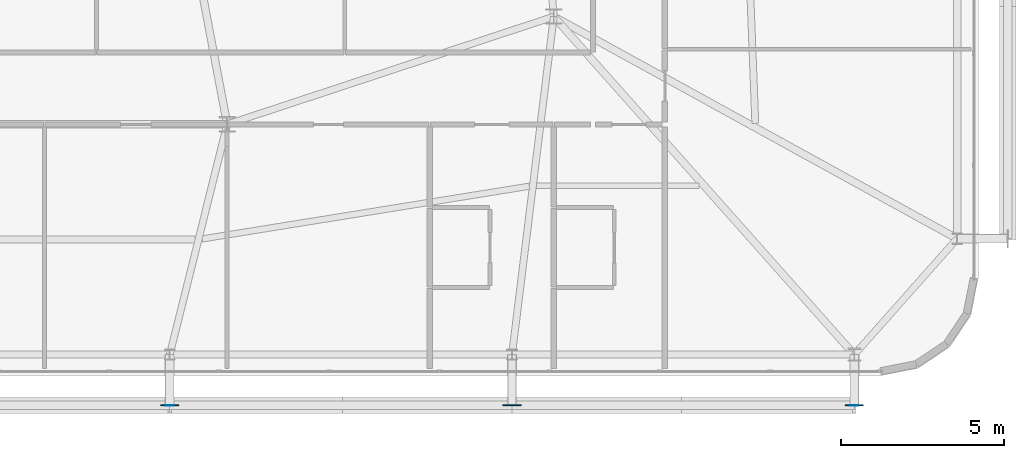
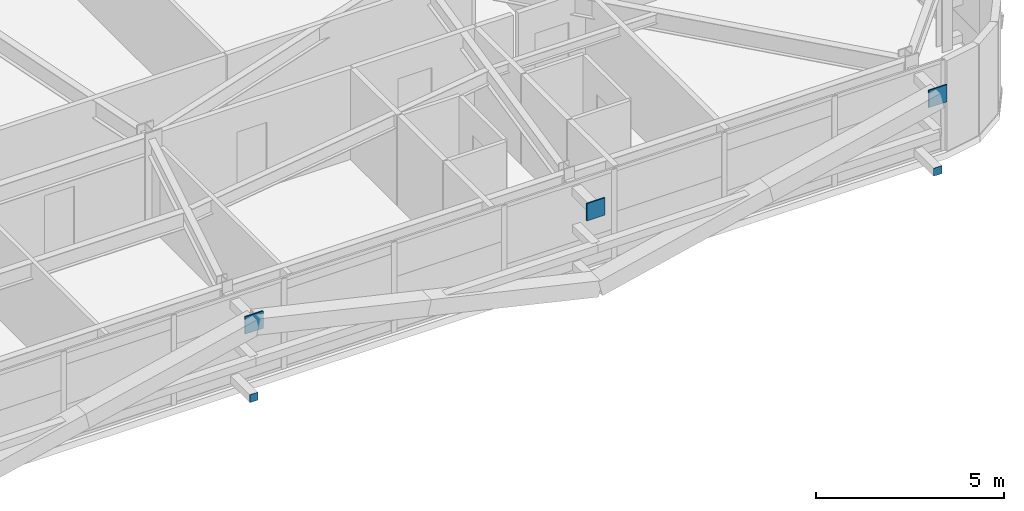
# One storey, part 47 of 58: 5 plates.
"""IFC4 building model written with IfcOpenShell, lengths in metres."""

from ifc_helpers import new_model, si_unit, direction, frame, origin, origin_2d, place, context, subcontext, project, spatial, rectangle, extrude, source, transform, mapped, material, layer, layer_set, type_object, element, save


model = new_model("IFC4")

# Units and contexts
model_context = context("Model", 3, precision=1e-05, world=origin(), true_north=direction((0.0, 1.0)))
body_context = subcontext(model_context, "Body", "Model", "MODEL_VIEW")
ifc_project = project(units=[si_unit("LENGTHUNIT", "METRE"), si_unit("AREAUNIT", "SQUARE_METRE"), si_unit("VOLUMEUNIT", "CUBIC_METRE"), si_unit("PLANEANGLEUNIT", "RADIAN"), si_unit("MASSUNIT", "GRAM", prefix="KILO")], contexts=[model_context])

# Site, building, storey
site_placement = place(None, origin())
site = spatial("IfcSite", under=ifc_project, at=site_placement, CompositionType="ELEMENT")
building_placement = place(site_placement, origin())
building = spatial("IfcBuilding", under=site, at=building_placement, Name="Taldren Reach Tower", CompositionType="ELEMENT")
storey_placement = place(building_placement, frame((0.0, 0.0, 54.60009765625)))
storey = spatial("IfcBuildingStorey", under=building, at=storey_placement, Name="L16", CompositionType="ELEMENT", Elevation=54.60009765625)

# Plates
ifc_material_1 = material(Name="Steel Gr 450 (C450L0)", Category="steel")
ifc_layer_1 = layer(ifc_material_1, 0.0400390625)
ifc_layer_set_1 = layer_set([ifc_layer_1], Name="Steel Gr 450 (C450L0)")
plate_type_1 = type_object("IfcPlateType", Name="PL-GUSSET-40", PredefinedType="SHEET", material=ifc_layer_set_1)
shared_shape_1 = source(origin(), body_context, "Body", "SweptSolid", [
    extrude(rectangle(XDim=0.56005859375, YDim=0.0400390625, at=origin_2d()), origin(), (0.0, 0.0, 1.0), 0.56005859375),
])
for number, where, z_axis, x_axis, name in (
    (1, (40.239990234375, 0.60009765625, 2.369873046875), (0.0, 0.0, 1.0), (1.0, 0.0, 0.0), "Exoskeleton star-node gusset plate B1-S4 L16"),
    (2, (50.719970703125, 0.60009765625, 2.369873046875), (0.0, 0.0, 1.0), (1.0, 0.0, 0.0), "Exoskeleton star-node gusset plate B1-S5 L16"),
    (3, (61.199951171875, 0.60009765625, 2.369873046875), (0.0, 0.0, 1.0), (1.0, 0.0, 0.0), "Exoskeleton star-node gusset plate B1-S6 L16"),
):
    element("IfcPlate", number, at=place(storey_placement, frame(where, z_axis=z_axis, x_axis=x_axis)), inside=storey, type_object=plate_type_1, Name=name, PredefinedType="SHEET", context=body_context, shape_type="MappedRepresentation", body=[
        mapped(shared_shape_1, transform((0.0, 0.0, 0.0), scale=1.0)),
    ])
ifc_material_2 = material(Name="Steel Gr 350 (C350L0)", Category="steel")
ifc_layer_2 = layer(ifc_material_2, 0.011962890625)
ifc_layer_set_2 = layer_set([ifc_layer_2], Name="Steel Gr 350 (C350L0)")
plate_type_2 = type_object("IfcPlateType", Name="PL-CAP-250", PredefinedType="SHEET", material=ifc_layer_set_2)
shared_shape_2 = source(origin(), body_context, "Body", "SweptSolid", [
    extrude(rectangle(XDim=0.25, YDim=0.011962890625, at=origin_2d()), origin(), (0.0, 0.0, 1.0), 0.25),
])
for number, where, z_axis, x_axis, name in (
    (4, (40.239990234375, 0.593994140625, 0.094970703125), (0.0, 0.0, 1.0), (1.0, 0.0, 0.0), "Tie strut end cap plate B1-S4 L16"),
    (5, (61.199951171875, 0.593994140625, 0.094970703125), (0.0, 0.0, 1.0), (1.0, 0.0, 0.0), "Tie strut end cap plate B1-S6 L16"),
):
    element("IfcPlate", number, at=place(storey_placement, frame(where, z_axis=z_axis, x_axis=x_axis)), inside=storey, type_object=plate_type_2, Name=name, PredefinedType="SHEET", context=body_context, shape_type="MappedRepresentation", body=[
        mapped(shared_shape_2, transform((0.0, 0.0, 0.0), scale=1.0)),
    ])

save(model, "model.ifc")
